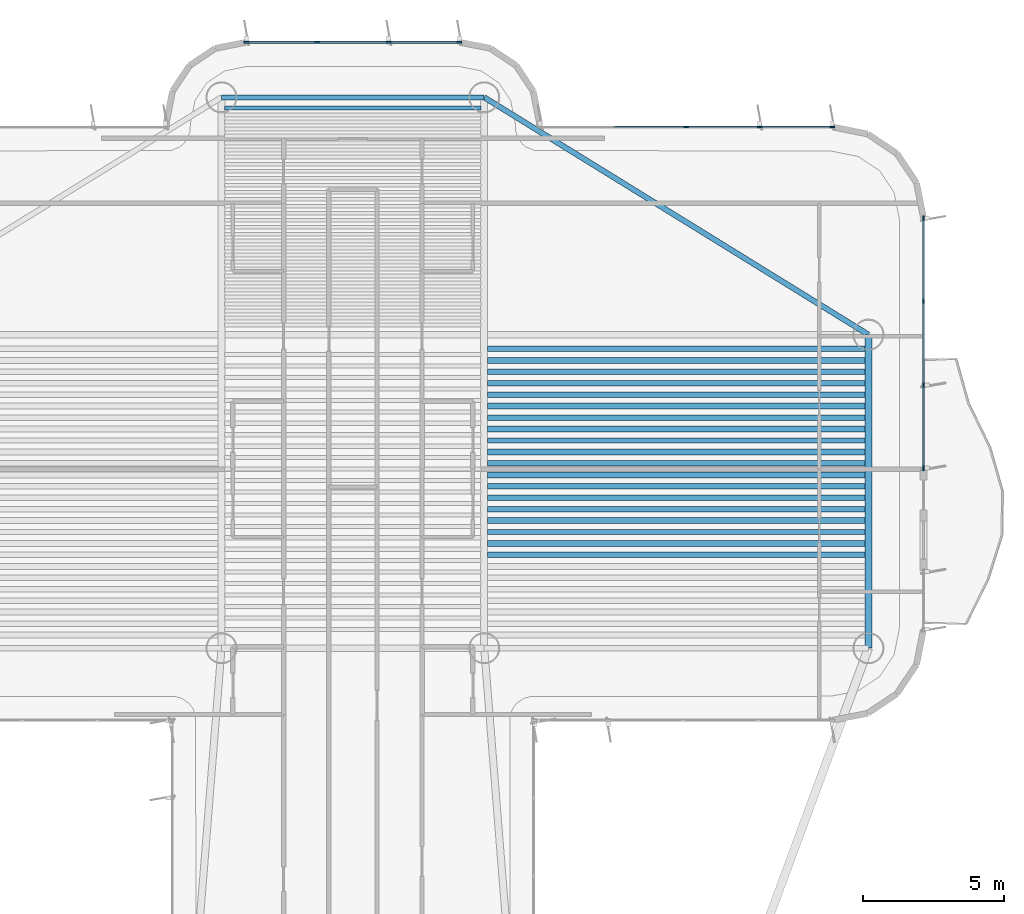
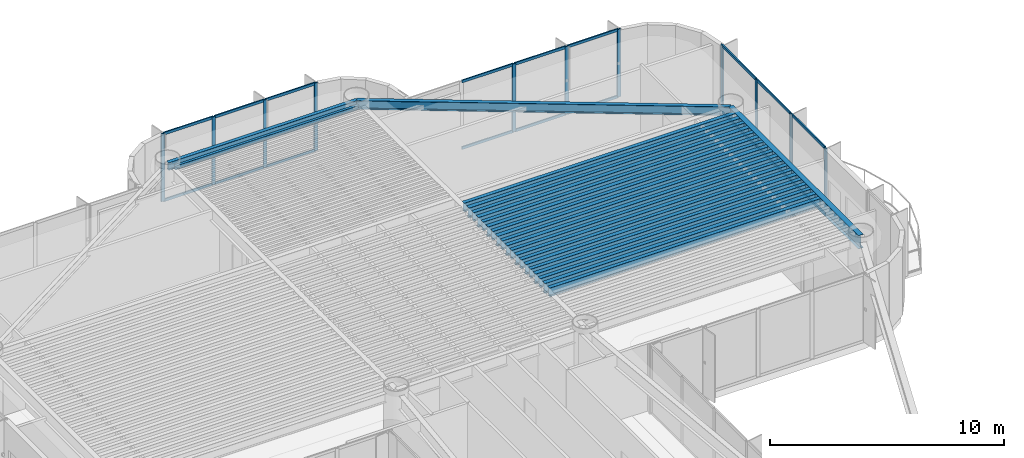
# One storey, part 7 of 15: 29 members, 23 beams, 3 elements without a shape of their own.
"""IFC4 building model written with IfcOpenShell, lengths in metres."""

from ifc_helpers import new_model, si_unit, direction, frame, origin, origin_2d, place, context, subcontext, project, spatial, rectangle, i_section, extrude, source, transform, mapped, material, layer, layer_set, material_profile, profile_set, type_object, element, aggregate, save


model = new_model("IFC4")

# Units and contexts
model_context = context("Model", 3, precision=1e-05, world=origin(), true_north=direction((0.0, 1.0)))
body_context = subcontext(model_context, "Body", "Model", "MODEL_VIEW")
ifc_project = project(units=[si_unit("LENGTHUNIT", "METRE"), si_unit("AREAUNIT", "SQUARE_METRE"), si_unit("VOLUMEUNIT", "CUBIC_METRE"), si_unit("PLANEANGLEUNIT", "RADIAN"), si_unit("MASSUNIT", "GRAM", prefix="KILO")], contexts=[model_context])

# Site, building, storey
site_placement = place(None, origin())
site = spatial("IfcSite", under=ifc_project, at=site_placement, CompositionType="ELEMENT")
building_placement = place(site_placement, origin())
building = spatial("IfcBuilding", under=site, at=building_placement, Name="Brelvock Crest Care Tower", CompositionType="ELEMENT")
storey_placement = place(building_placement, frame((0.0, 0.0, 156.419921875)))
storey = spatial("IfcBuildingStorey", under=building, at=storey_placement, Name="L39", CompositionType="ELEMENT", Elevation=156.419921875)

# Beams
ifc_material_1 = material(Name="Steel Grade 350", Category="steel")
ifc_material_profile_1 = material_profile(ifc_material_1, i_section(OverallWidth=0.177978515625, OverallDepth=0.406005859375, WebThickness=0.0078125, FlangeThickness=0.0126953125, FilletRadius=0.011474609375, at=origin_2d()), Name="410UB59.7")
ifc_profile_set_1 = profile_set([ifc_material_profile_1], Name="Steel Grade 350")
beam_type_1 = type_object("IfcBeamType", Name="BM-SP1", PredefinedType="SPANDREL", material=ifc_profile_set_1)
shared_shape_1 = source(origin(), body_context, "Body", "SweptSolid", [
    extrude(i_section(OverallWidth=0.177978515625, OverallDepth=0.406005859375, WebThickness=0.0078125, FlangeThickness=0.0126953125, FilletRadius=0.011474609375, at=origin_2d()), origin(), (0.0, 0.0, 1.0), 9.2998046875),
])
beam_1_placement = place(storey_placement, frame((31.35009765625, 54.449951171875, 3.3271484375), z_axis=(1.0, 0.0, 0.0), x_axis=(0.0, 1.0, 0.0)))
element("IfcBeam", 1, at=beam_1_placement, inside=storey, type_object=beam_type_1, Name="BM-TWR-L39-08", PredefinedType="SPANDREL", context=body_context, shape_type="MappedRepresentation", body=[
    mapped(shared_shape_1, transform((0.0, 0.0, 0.0), x_axis=(1.0, 0.0, 0.0), y_axis=(0.0, 1.0, 0.0), z_axis=(0.0, 0.0, 1.0), scale=1.0)),
])
ifc_material_profile_2 = material_profile(ifc_material_1, i_section(OverallWidth=0.134033203125, OverallDepth=0.20703125, WebThickness=0.00634765625, FlangeThickness=0.009521484375, FilletRadius=0.0087890625, at=origin_2d()), Name="200UB29.8")
ifc_profile_set_2 = profile_set([ifc_material_profile_2], Name="Steel Grade 350")
beam_type_2 = type_object("IfcBeamType", Name="BM-J4", PredefinedType="JOIST", material=ifc_profile_set_2)
shared_shape_2 = source(origin(), body_context, "Body", "SweptSolid", [
    extrude(i_section(OverallWidth=0.134033203125, OverallDepth=0.20703125, WebThickness=0.00634765625, FlangeThickness=0.009521484375, FilletRadius=0.0087890625, at=origin_2d()), origin(), (0.0, 0.0, 1.0), 9.06982421875),
])
beam_2_placement = place(storey_placement, frame((31.465087890625, 54.06787109375, 3.426513671875), z_axis=(1.0, 0.0, 0.0), x_axis=(0.0, 1.0, 0.0)))
element("IfcBeam", 2, at=beam_2_placement, inside=storey, type_object=beam_type_2, Name="BM-JN-L39-32", PredefinedType="JOIST", context=body_context, shape_type="MappedRepresentation", body=[
    mapped(shared_shape_2, transform((0.0, 0.0, 0.0), x_axis=(1.0, 0.0, 0.0), y_axis=(0.0, 1.0, 0.0), z_axis=(0.0, 0.0, 1.0), scale=1.0)),
])
ifc_material_profile_3 = material_profile(ifc_material_1, i_section(OverallWidth=0.208984375, OverallDepth=0.532958984375, WebThickness=0.01025390625, FlangeThickness=0.015625, FilletRadius=0.013916015625, at=origin_2d()), Name="530UB92.4")
ifc_profile_set_3 = profile_set([ifc_material_profile_3], Name="Steel Grade 350")
beam_type_3 = type_object("IfcBeamType", Name="BM-G2", PredefinedType="BEAM", material=ifc_profile_set_3)
shared_shape_3 = source(origin(), body_context, "Body", "SweptSolid", [
    extrude(i_section(OverallWidth=0.208984375, OverallDepth=0.532958984375, WebThickness=0.01025390625, FlangeThickness=0.015625, FilletRadius=0.013916015625, at=origin_2d()), origin(), (0.0, 0.0, 1.0), 13.3701171875),
])
for number, where, z_axis, x_axis, name in (
    (3, (40.764892578125, 38.657470703125, 3.263671875), (1.0, 0.0, 0.0), (0.0, 1.0, 0.0), "BM-JE-L39-9"),
    (4, (40.764892578125, 39.4677734375, 3.263671875), (1.0, 0.0, 0.0), (0.0, 1.0, 0.0), "BM-JE-L39-11"),
    (5, (40.764892578125, 40.278076171875, 3.263671875), (1.0, 0.0, 0.0), (0.0, 1.0, 0.0), "BM-JE-L39-13"),
    (6, (40.764892578125, 41.08837890625, 3.263671875), (1.0, 0.0, 0.0), (0.0, 1.0, 0.0), "BM-JE-L39-15"),
    (7, (40.764892578125, 41.898681640625, 3.263671875), (1.0, 0.0, 0.0), (0.0, 1.0, 0.0), "BM-JE-L39-17"),
    (8, (40.764892578125, 42.708984375, 3.263671875), (1.0, 0.0, 0.0), (0.0, 1.0, 0.0), "BM-JE-L39-19"),
    (9, (40.764892578125, 43.519287109375, 3.263671875), (1.0, 0.0, 0.0), (0.0, 1.0, 0.0), "BM-JE-L39-21"),
    (10, (40.764892578125, 44.32958984375, 3.263671875), (1.0, 0.0, 0.0), (0.0, 1.0, 0.0), "BM-JE-L39-23"),
    (11, (40.764892578125, 45.139892578125, 3.263671875), (1.0, 0.0, 0.0), (0.0, 1.0, 0.0), "BM-JE-L39-25"),
):
    element("IfcBeam", number, at=place(storey_placement, frame(where, z_axis=z_axis, x_axis=x_axis)), inside=storey, type_object=beam_type_3, Name=name, PredefinedType="BEAM", context=body_context, shape_type="MappedRepresentation", body=[
        mapped(shared_shape_3, transform((0.0, 0.0, 0.0), x_axis=(1.0, 0.0, 0.0), y_axis=(0.0, 1.0, 0.0), z_axis=(0.0, 0.0, 1.0), scale=1.0)),
    ])
ifc_material_profile_4 = material_profile(ifc_material_1, i_section(OverallWidth=0.19091796875, OverallDepth=0.4599609375, WebThickness=0.010009765625, FlangeThickness=0.01611328125, FilletRadius=0.011474609375, at=origin_2d()), Name="460UB82.1")
ifc_profile_set_4 = profile_set([ifc_material_profile_4], Name="Steel Grade 350")
beam_type_4 = type_object("IfcBeamType", Name="BM-G3", PredefinedType="BEAM", material=ifc_profile_set_4)
shared_shape_4 = source(origin(), body_context, "Body", "SweptSolid", [
    extrude(i_section(OverallWidth=0.19091796875, OverallDepth=0.4599609375, WebThickness=0.010009765625, FlangeThickness=0.01611328125, FilletRadius=0.011474609375, at=origin_2d()), origin(), (0.0, 0.0, 1.0), 13.3701171875),
])
for number, where, z_axis, x_axis, name in (
    (12, (40.764892578125, 38.252197265625, 3.300048828125), (1.0, 0.0, 0.0), (0.0, 1.0, 0.0), "BM-JE-L39-8"),
    (13, (40.764892578125, 39.0625, 3.300048828125), (1.0, 0.0, 0.0), (0.0, 1.0, 0.0), "BM-JE-L39-10"),
    (14, (40.764892578125, 39.872802734375, 3.300048828125), (1.0, 0.0, 0.0), (0.0, 1.0, 0.0), "BM-JE-L39-12"),
    (15, (40.764892578125, 40.68310546875, 3.300048828125), (1.0, 0.0, 0.0), (0.0, 1.0, 0.0), "BM-JE-L39-14"),
    (16, (40.764892578125, 41.493408203125, 3.300048828125), (1.0, 0.0, 0.0), (0.0, 1.0, 0.0), "BM-JE-L39-16"),
    (17, (40.764892578125, 42.3037109375, 3.300048828125), (1.0, 0.0, 0.0), (0.0, 1.0, 0.0), "BM-JE-L39-18"),
    (18, (40.764892578125, 43.114013671875, 3.300048828125), (1.0, 0.0, 0.0), (0.0, 1.0, 0.0), "BM-JE-L39-20"),
    (19, (40.764892578125, 43.92431640625, 3.300048828125), (1.0, 0.0, 0.0), (0.0, 1.0, 0.0), "BM-JE-L39-22"),
    (20, (40.764892578125, 44.734619140625, 3.300048828125), (1.0, 0.0, 0.0), (0.0, 1.0, 0.0), "BM-JE-L39-24"),
    (21, (40.764892578125, 45.544921875, 3.300048828125), (1.0, 0.0, 0.0), (0.0, 1.0, 0.0), "BM-JE-L39-26"),
):
    element("IfcBeam", number, at=place(storey_placement, frame(where, z_axis=z_axis, x_axis=x_axis)), inside=storey, type_object=beam_type_4, Name=name, PredefinedType="BEAM", context=body_context, shape_type="MappedRepresentation", body=[
        mapped(shared_shape_4, transform((0.0, 0.0, 0.0), x_axis=(1.0, 0.0, 0.0), y_axis=(0.0, 1.0, 0.0), z_axis=(0.0, 0.0, 1.0), scale=1.0)),
    ])
ifc_material_profile_5 = material_profile(ifc_material_1, i_section(OverallWidth=0.25, OverallDepth=0.699951171875, WebThickness=0.011962890625, FlangeThickness=0.02001953125, at=origin_2d()), Name="700WB150")
ifc_profile_set_5 = profile_set([ifc_material_profile_5], Name="Steel Grade 350")
beam_type_5 = type_object("IfcBeamType", Name="BM-G4", PredefinedType="BEAM", material=ifc_profile_set_5)
shared_shape_5 = source(origin(), body_context, "Body", "SweptSolid", [
    extrude(i_section(OverallWidth=0.25, OverallDepth=0.699951171875, WebThickness=0.011962890625, FlangeThickness=0.02001953125, at=origin_2d()), origin(), (0.0, 0.0, 1.0), 11.10009765625),
])
beam_3_placement = place(storey_placement, frame((54.25, 34.949951171875, 3.18017578125), z_axis=(0.0, 1.0, 0.0), x_axis=(-1.0, 0.0, 0.0)))
element("IfcBeam", 22, at=beam_3_placement, inside=storey, type_object=beam_type_5, Name="BM-TWR-L39-02", PredefinedType="BEAM", context=body_context, shape_type="MappedRepresentation", body=[
    mapped(shared_shape_5, transform((0.0, 0.0, 0.0), x_axis=(1.0, 0.0, 0.0), y_axis=(0.0, 1.0, 0.0), z_axis=(0.0, 0.0, 1.0), scale=1.0)),
])
ifc_material_profile_6 = material_profile(ifc_material_1, i_section(OverallWidth=0.19091796875, OverallDepth=0.4599609375, WebThickness=0.010009765625, FlangeThickness=0.01611328125, FilletRadius=0.011474609375, at=origin_2d()), Name="460UB82.1")
ifc_profile_set_6 = profile_set([ifc_material_profile_6], Name="Steel Grade 350")
beam_type_6 = type_object("IfcBeamType", Name="BM-SP2", PredefinedType="SPANDREL", material=ifc_profile_set_6)
shared_shape_6 = source(origin(), body_context, "Body", "SweptSolid", [
    extrude(i_section(OverallWidth=0.19091796875, OverallDepth=0.4599609375, WebThickness=0.010009765625, FlangeThickness=0.01611328125, FilletRadius=0.011474609375, at=origin_2d()), origin(), (0.0, 0.0, 1.0), 15.985107421875),
])
beam_4_placement = place(storey_placement, frame((40.64990234375, 54.449951171875, 3.300048828125), z_axis=(0.850802415717, -0.525485727124, 0.0), x_axis=(0.525485727124, 0.850802415717, 0.0)))
element("IfcBeam", 23, at=beam_4_placement, inside=storey, type_object=beam_type_6, Name="BM-TWR-L39-07", PredefinedType="SPANDREL", context=body_context, shape_type="MappedRepresentation", body=[
    mapped(shared_shape_6, transform((0.0, 0.0, 0.0), x_axis=(1.0, 0.0, 0.0), y_axis=(0.0, 1.0, 0.0), z_axis=(0.0, 0.0, 1.0), scale=1.0)),
])

# Curtain wall, members
ifc_material_2 = material(Name="Dark Glass Double Glazed Low-E", Category="glass")
ifc_layer = layer(ifc_material_2, 0.22509765625, Name="CWS-4")
ifc_layer_set = layer_set([ifc_layer], Name="Dark Glass Double Glazed Low-E")
curtain_wall_type = type_object("IfcCurtainWallType", Name="CWS-4", PredefinedType="NOTDEFINED", material=ifc_layer_set)
curtain_wall_1_placement = place(storey_placement, origin())
curtain_wall_1 = element("IfcCurtainWall", 24, at=curtain_wall_1_placement, inside=storey, type_object=curtain_wall_type, Name="L39 Curtain Wall E28", PredefinedType="NOTDEFINED")
ifc_material_3 = material(Name="Aluminium 6063-T6", Category="aluminium")
ifc_material_profile_7 = material_profile(ifc_material_3, rectangle(XDim=0.06005859375, YDim=0.179931640625, at=origin_2d()), Name="ALU60x180")
ifc_profile_set_7 = profile_set([ifc_material_profile_7], Name="Aluminium 6063-T6")
member_type_1 = type_object("IfcMemberType", Name="CWM-2", PredefinedType="MULLION", material=ifc_profile_set_7)
shared_shape_7 = source(origin(), body_context, "Body", "SweptSolid", [
    extrude(rectangle(XDim=0.06005859375, YDim=0.179931640625, at=origin_2d()), origin(), (0.0, 0.0, 1.0), 3.530029296875),
])
member_1_placement = place(storey_placement, frame((32.22998046875, 56.39990234375, 0.0), z_axis=(0.0, 0.0, 1.0), x_axis=(0.0, 1.0, 0.0)))
member_1 = element("IfcMember", 25, at=member_1_placement, type_object=member_type_1, Name="CW-4 mullion 1", PredefinedType="MULLION", context=body_context, shape_type="MappedRepresentation", body=[
    mapped(shared_shape_7, transform((0.0, 0.0, 0.0), x_axis=(1.0, 0.0, 0.0), y_axis=(0.0, 1.0, 0.0), z_axis=(0.0, 0.0, 1.0), scale=1.0)),
])
member_2_placement = place(storey_placement, frame((34.7333984375, 56.39990234375, 0.0), z_axis=(0.0, 0.0, 1.0), x_axis=(0.0, 1.0, 0.0)))
member_2 = element("IfcMember", 26, at=member_2_placement, type_object=member_type_1, Name="CW-4 mullion 2", PredefinedType="MULLION", context=body_context, shape_type="MappedRepresentation", body=[
    mapped(shared_shape_7, transform((0.0, 0.0, 0.0), x_axis=(1.0, 0.0, 0.0), y_axis=(0.0, 1.0, 0.0), z_axis=(0.0, 0.0, 1.0), scale=1.0)),
])
member_3_placement = place(storey_placement, frame((37.2666015625, 56.39990234375, 0.0), z_axis=(0.0, 0.0, 1.0), x_axis=(0.0, 1.0, 0.0)))
member_3 = element("IfcMember", 27, at=member_3_placement, type_object=member_type_1, Name="CW-4 mullion 3", PredefinedType="MULLION", context=body_context, shape_type="MappedRepresentation", body=[
    mapped(shared_shape_7, transform((0.0, 0.0, 0.0), x_axis=(1.0, 0.0, 0.0), y_axis=(0.0, 1.0, 0.0), z_axis=(0.0, 0.0, 1.0), scale=1.0)),
])
member_4_placement = place(storey_placement, frame((39.77001953125, 56.39990234375, 0.0), z_axis=(0.0, 0.0, 1.0), x_axis=(0.0, 1.0, 0.0)))
member_4 = element("IfcMember", 28, at=member_4_placement, type_object=member_type_1, Name="CW-4 mullion 4", PredefinedType="MULLION", context=body_context, shape_type="MappedRepresentation", body=[
    mapped(shared_shape_7, transform((0.0, 0.0, 0.0), x_axis=(1.0, 0.0, 0.0), y_axis=(0.0, 1.0, 0.0), z_axis=(0.0, 0.0, 1.0), scale=1.0)),
])

curtain_wall_2_placement = place(storey_placement, origin())
curtain_wall_2 = element("IfcCurtainWall", 29, at=curtain_wall_2_placement, inside=storey, type_object=curtain_wall_type, Name="L39 Curtain Wall E34", PredefinedType="NOTDEFINED")
member_5_placement = place(storey_placement, frame((47.800048828125, 53.39990234375, 0.0), z_axis=(0.0, 0.0, 1.0), x_axis=(0.0, 1.0, 0.0)))
member_5 = element("IfcMember", 30, at=member_5_placement, type_object=member_type_1, Name="CW-4 mullion 3", PredefinedType="MULLION", context=body_context, shape_type="MappedRepresentation", body=[
    mapped(shared_shape_7, transform((0.0, 0.0, 0.0), x_axis=(1.0, 0.0, 0.0), y_axis=(0.0, 1.0, 0.0), z_axis=(0.0, 0.0, 1.0), scale=1.0)),
])
member_6_placement = place(storey_placement, frame((50.39990234375, 53.39990234375, 0.0), z_axis=(0.0, 0.0, 1.0), x_axis=(0.0, 1.0, 0.0)))
member_6 = element("IfcMember", 31, at=member_6_placement, type_object=member_type_1, Name="CW-4 mullion 4", PredefinedType="MULLION", context=body_context, shape_type="MappedRepresentation", body=[
    mapped(shared_shape_7, transform((0.0, 0.0, 0.0), x_axis=(1.0, 0.0, 0.0), y_axis=(0.0, 1.0, 0.0), z_axis=(0.0, 0.0, 1.0), scale=1.0)),
])
member_7_placement = place(storey_placement, frame((52.969970703125, 53.39990234375, 0.0), z_axis=(0.0, 0.0, 1.0), x_axis=(0.0, 1.0, 0.0)))
member_7 = element("IfcMember", 32, at=member_7_placement, type_object=member_type_1, Name="CW-4 mullion 5", PredefinedType="MULLION", context=body_context, shape_type="MappedRepresentation", body=[
    mapped(shared_shape_7, transform((0.0, 0.0, 0.0), x_axis=(1.0, 0.0, 0.0), y_axis=(0.0, 1.0, 0.0), z_axis=(0.0, 0.0, 1.0), scale=1.0)),
])

curtain_wall_3_placement = place(storey_placement, origin())
curtain_wall_3 = element("IfcCurtainWall", 33, at=curtain_wall_3_placement, inside=storey, type_object=curtain_wall_type, Name="L39 Curtain Wall E39A", PredefinedType="NOTDEFINED")
member_8_placement = place(storey_placement, frame((56.199951171875, 50.169921875, 0.0), z_axis=(0.0, 0.0, 1.0), x_axis=(1.0, 0.0, 0.0)))
member_8 = element("IfcMember", 34, at=member_8_placement, type_object=member_type_1, Name="CW-4 mullion 1", PredefinedType="MULLION", context=body_context, shape_type="MappedRepresentation", body=[
    mapped(shared_shape_7, transform((0.0, 0.0, 0.0), x_axis=(1.0, 0.0, 0.0), y_axis=(0.0, 1.0, 0.0), z_axis=(0.0, 0.0, 1.0), scale=1.0)),
])
member_9_placement = place(storey_placement, frame((56.199951171875, 47.2333984375, 0.0), z_axis=(0.0, 0.0, 1.0), x_axis=(1.0, 0.0, 0.0)))
member_9 = element("IfcMember", 35, at=member_9_placement, type_object=member_type_1, Name="CW-4 mullion 2", PredefinedType="MULLION", context=body_context, shape_type="MappedRepresentation", body=[
    mapped(shared_shape_7, transform((0.0, 0.0, 0.0), x_axis=(1.0, 0.0, 0.0), y_axis=(0.0, 1.0, 0.0), z_axis=(0.0, 0.0, 1.0), scale=1.0)),
])
member_10_placement = place(storey_placement, frame((56.199951171875, 44.2666015625, 0.0), z_axis=(0.0, 0.0, 1.0), x_axis=(1.0, 0.0, 0.0)))
member_10 = element("IfcMember", 36, at=member_10_placement, type_object=member_type_1, Name="CW-4 mullion 3", PredefinedType="MULLION", context=body_context, shape_type="MappedRepresentation", body=[
    mapped(shared_shape_7, transform((0.0, 0.0, 0.0), x_axis=(1.0, 0.0, 0.0), y_axis=(0.0, 1.0, 0.0), z_axis=(0.0, 0.0, 1.0), scale=1.0)),
])
member_11_placement = place(storey_placement, frame((56.199951171875, 41.330078125, 0.0), z_axis=(0.0, 0.0, 1.0), x_axis=(1.0, 0.0, 0.0)))
member_11 = element("IfcMember", 37, at=member_11_placement, type_object=member_type_1, Name="CW-4 mullion 4", PredefinedType="MULLION", context=body_context, shape_type="MappedRepresentation", body=[
    mapped(shared_shape_7, transform((0.0, 0.0, 0.0), x_axis=(1.0, 0.0, 0.0), y_axis=(0.0, 1.0, 0.0), z_axis=(0.0, 0.0, 1.0), scale=1.0)),
])

# Member
ifc_material_profile_8 = material_profile(ifc_material_3, rectangle(XDim=0.06005859375, YDim=0.139892578125, at=origin_2d()), Name="ALU60x140")
ifc_profile_set_8 = profile_set([ifc_material_profile_8], Name="Aluminium 6063-T6")
member_type_2 = type_object("IfcMemberType", Name="CWT-2", PredefinedType="USERDEFINED", material=ifc_profile_set_8)
shared_shape_8 = source(origin(), body_context, "Body", "SweptSolid", [
    extrude(rectangle(XDim=0.06005859375, YDim=0.139892578125, at=origin_2d()), origin(), (0.0, 0.0, 1.0), 2.443359375),
])
member_12_placement = place(storey_placement, frame((32.260009765625, 56.39990234375, 0.030029296875), z_axis=(1.0, 0.0, 0.0), x_axis=(0.0, 1.0, 0.0)))
member_12 = element("IfcMember", 38, at=member_12_placement, type_object=member_type_2, Name="CW-4 transom 1.1", ObjectType="TRANSOM", PredefinedType="USERDEFINED", context=body_context, shape_type="MappedRepresentation", body=[
    mapped(shared_shape_8, transform((0.0, 0.0, 0.0), x_axis=(1.0, 0.0, 0.0), y_axis=(0.0, 1.0, 0.0), z_axis=(0.0, 0.0, 1.0), scale=1.0)),
])

member_13_placement = place(storey_placement, frame((32.260009765625, 56.39990234375, 3.5), z_axis=(1.0, 0.0, 0.0), x_axis=(0.0, 1.0, 0.0)))
member_13 = element("IfcMember", 39, at=member_13_placement, type_object=member_type_2, Name="CW-4 transom 1.2", ObjectType="TRANSOM", PredefinedType="USERDEFINED", context=body_context, shape_type="MappedRepresentation", body=[
    mapped(shared_shape_8, transform((0.0, 0.0, 0.0), x_axis=(1.0, 0.0, 0.0), y_axis=(0.0, 1.0, 0.0), z_axis=(0.0, 0.0, 1.0), scale=1.0)),
])

member_14_placement = place(storey_placement, frame((37.296630859375, 56.39990234375, 0.030029296875), z_axis=(1.0, 0.0, 0.0), x_axis=(0.0, 1.0, 0.0)))
member_14 = element("IfcMember", 40, at=member_14_placement, type_object=member_type_2, Name="CW-4 transom 3.1", ObjectType="TRANSOM", PredefinedType="USERDEFINED", context=body_context, shape_type="MappedRepresentation", body=[
    mapped(shared_shape_8, transform((0.0, 0.0, 0.0), x_axis=(1.0, 0.0, 0.0), y_axis=(0.0, 1.0, 0.0), z_axis=(0.0, 0.0, 1.0), scale=1.0)),
])

member_15_placement = place(storey_placement, frame((37.296630859375, 56.39990234375, 3.5), z_axis=(1.0, 0.0, 0.0), x_axis=(0.0, 1.0, 0.0)))
member_15 = element("IfcMember", 41, at=member_15_placement, type_object=member_type_2, Name="CW-4 transom 3.2", ObjectType="TRANSOM", PredefinedType="USERDEFINED", context=body_context, shape_type="MappedRepresentation", body=[
    mapped(shared_shape_8, transform((0.0, 0.0, 0.0), x_axis=(1.0, 0.0, 0.0), y_axis=(0.0, 1.0, 0.0), z_axis=(0.0, 0.0, 1.0), scale=1.0)),
])

shared_shape_9 = source(origin(), body_context, "Body", "SweptSolid", [
    extrude(rectangle(XDim=0.06005859375, YDim=0.139892578125, at=origin_2d()), origin(), (0.0, 0.0, 1.0), 2.47314453125),
])
member_16_placement = place(storey_placement, frame((34.763427734375, 56.39990234375, 0.030029296875), z_axis=(1.0, 0.0, 0.0), x_axis=(0.0, 1.0, 0.0)))
member_16 = element("IfcMember", 42, at=member_16_placement, type_object=member_type_2, Name="CW-4 transom 2.1", ObjectType="TRANSOM", PredefinedType="USERDEFINED", context=body_context, shape_type="MappedRepresentation", body=[
    mapped(shared_shape_9, transform((0.0, 0.0, 0.0), x_axis=(1.0, 0.0, 0.0), y_axis=(0.0, 1.0, 0.0), z_axis=(0.0, 0.0, 1.0), scale=1.0)),
])

member_17_placement = place(storey_placement, frame((34.763427734375, 56.39990234375, 3.5), z_axis=(1.0, 0.0, 0.0), x_axis=(0.0, 1.0, 0.0)))
member_17 = element("IfcMember", 43, at=member_17_placement, type_object=member_type_2, Name="CW-4 transom 2.2", ObjectType="TRANSOM", PredefinedType="USERDEFINED", context=body_context, shape_type="MappedRepresentation", body=[
    mapped(shared_shape_9, transform((0.0, 0.0, 0.0), x_axis=(1.0, 0.0, 0.0), y_axis=(0.0, 1.0, 0.0), z_axis=(0.0, 0.0, 1.0), scale=1.0)),
])

aggregate(curtain_wall_1, [member_1, member_2, member_3, member_4, member_12, member_13, member_16, member_17, member_14, member_15])

shared_shape_10 = source(origin(), body_context, "Body", "SweptSolid", [
    extrude(rectangle(XDim=0.06005859375, YDim=0.139892578125, at=origin_2d()), origin(), (0.0, 0.0, 1.0), 2.87646484375),
])
member_18_placement = place(storey_placement, frame((56.199951171875, 50.139892578125, 0.030029296875), z_axis=(0.0, -1.0, 0.0), x_axis=(1.0, 0.0, 0.0)))
member_18 = element("IfcMember", 44, at=member_18_placement, type_object=member_type_2, Name="CW-4 transom 1.1", ObjectType="TRANSOM", PredefinedType="USERDEFINED", context=body_context, shape_type="MappedRepresentation", body=[
    mapped(shared_shape_10, transform((0.0, 0.0, 0.0), x_axis=(1.0, 0.0, 0.0), y_axis=(0.0, 1.0, 0.0), z_axis=(0.0, 0.0, 1.0), scale=1.0)),
])

member_19_placement = place(storey_placement, frame((56.199951171875, 50.139892578125, 3.5), z_axis=(0.0, -1.0, 0.0), x_axis=(1.0, 0.0, 0.0)))
member_19 = element("IfcMember", 45, at=member_19_placement, type_object=member_type_2, Name="CW-4 transom 1.2", ObjectType="TRANSOM", PredefinedType="USERDEFINED", context=body_context, shape_type="MappedRepresentation", body=[
    mapped(shared_shape_10, transform((0.0, 0.0, 0.0), x_axis=(1.0, 0.0, 0.0), y_axis=(0.0, 1.0, 0.0), z_axis=(0.0, 0.0, 1.0), scale=1.0)),
])

member_20_placement = place(storey_placement, frame((56.199951171875, 44.236572265625, 0.030029296875), z_axis=(0.0, -1.0, 0.0), x_axis=(1.0, 0.0, 0.0)))
member_20 = element("IfcMember", 46, at=member_20_placement, type_object=member_type_2, Name="CW-4 transom 3.1", ObjectType="TRANSOM", PredefinedType="USERDEFINED", context=body_context, shape_type="MappedRepresentation", body=[
    mapped(shared_shape_10, transform((0.0, 0.0, 0.0), x_axis=(1.0, 0.0, 0.0), y_axis=(0.0, 1.0, 0.0), z_axis=(0.0, 0.0, 1.0), scale=1.0)),
])

member_21_placement = place(storey_placement, frame((56.199951171875, 44.236572265625, 3.5), z_axis=(0.0, -1.0, 0.0), x_axis=(1.0, 0.0, 0.0)))
member_21 = element("IfcMember", 47, at=member_21_placement, type_object=member_type_2, Name="CW-4 transom 3.2", ObjectType="TRANSOM", PredefinedType="USERDEFINED", context=body_context, shape_type="MappedRepresentation", body=[
    mapped(shared_shape_10, transform((0.0, 0.0, 0.0), x_axis=(1.0, 0.0, 0.0), y_axis=(0.0, 1.0, 0.0), z_axis=(0.0, 0.0, 1.0), scale=1.0)),
])

shared_shape_11 = source(origin(), body_context, "Body", "SweptSolid", [
    extrude(rectangle(XDim=0.06005859375, YDim=0.139892578125, at=origin_2d()), origin(), (0.0, 0.0, 1.0), 2.90673828125),
])
member_22_placement = place(storey_placement, frame((56.199951171875, 47.203369140625, 0.030029296875), z_axis=(0.0, -1.0, 0.0), x_axis=(1.0, 0.0, 0.0)))
member_22 = element("IfcMember", 48, at=member_22_placement, type_object=member_type_2, Name="CW-4 transom 2.1", ObjectType="TRANSOM", PredefinedType="USERDEFINED", context=body_context, shape_type="MappedRepresentation", body=[
    mapped(shared_shape_11, transform((0.0, 0.0, 0.0), x_axis=(1.0, 0.0, 0.0), y_axis=(0.0, 1.0, 0.0), z_axis=(0.0, 0.0, 1.0), scale=1.0)),
])

member_23_placement = place(storey_placement, frame((56.199951171875, 47.203369140625, 3.5), z_axis=(0.0, -1.0, 0.0), x_axis=(1.0, 0.0, 0.0)))
member_23 = element("IfcMember", 49, at=member_23_placement, type_object=member_type_2, Name="CW-4 transom 2.2", ObjectType="TRANSOM", PredefinedType="USERDEFINED", context=body_context, shape_type="MappedRepresentation", body=[
    mapped(shared_shape_11, transform((0.0, 0.0, 0.0), x_axis=(1.0, 0.0, 0.0), y_axis=(0.0, 1.0, 0.0), z_axis=(0.0, 0.0, 1.0), scale=1.0)),
])

aggregate(curtain_wall_3, [member_8, member_9, member_10, member_11, member_18, member_19, member_22, member_23, member_20, member_21])

shared_shape_12 = source(origin(), body_context, "Body", "SweptSolid", [
    extrude(rectangle(XDim=0.06005859375, YDim=0.139892578125, at=origin_2d()), origin(), (0.0, 0.0, 1.0), 2.510009765625),
])
member_24_placement = place(storey_placement, frame((50.429931640625, 53.39990234375, 0.030029296875), z_axis=(1.0, 0.0, 0.0), x_axis=(0.0, 1.0, 0.0)))
member_24 = element("IfcMember", 50, at=member_24_placement, type_object=member_type_2, Name="CW-4 transom 4.1", ObjectType="TRANSOM", PredefinedType="USERDEFINED", context=body_context, shape_type="MappedRepresentation", body=[
    mapped(shared_shape_12, transform((0.0, 0.0, 0.0), x_axis=(1.0, 0.0, 0.0), y_axis=(0.0, 1.0, 0.0), z_axis=(0.0, 0.0, 1.0), scale=1.0)),
])

member_25_placement = place(storey_placement, frame((50.429931640625, 53.39990234375, 3.5), z_axis=(1.0, 0.0, 0.0), x_axis=(0.0, 1.0, 0.0)))
member_25 = element("IfcMember", 51, at=member_25_placement, type_object=member_type_2, Name="CW-4 transom 4.2", ObjectType="TRANSOM", PredefinedType="USERDEFINED", context=body_context, shape_type="MappedRepresentation", body=[
    mapped(shared_shape_12, transform((0.0, 0.0, 0.0), x_axis=(1.0, 0.0, 0.0), y_axis=(0.0, 1.0, 0.0), z_axis=(0.0, 0.0, 1.0), scale=1.0)),
])

shared_shape_13 = source(origin(), body_context, "Body", "SweptSolid", [
    extrude(rectangle(XDim=0.06005859375, YDim=0.139892578125, at=origin_2d()), origin(), (0.0, 0.0, 1.0), 2.5400390625),
])
member_26_placement = place(storey_placement, frame((45.22998046875, 53.39990234375, 0.030029296875), z_axis=(1.0, 0.0, 0.0), x_axis=(0.0, 1.0, 0.0)))
member_26 = element("IfcMember", 52, at=member_26_placement, type_object=member_type_2, Name="CW-4 transom 2.1", ObjectType="TRANSOM", PredefinedType="USERDEFINED", context=body_context, shape_type="MappedRepresentation", body=[
    mapped(shared_shape_13, transform((0.0, 0.0, 0.0), x_axis=(1.0, 0.0, 0.0), y_axis=(0.0, 1.0, 0.0), z_axis=(0.0, 0.0, 1.0), scale=1.0)),
])

member_27_placement = place(storey_placement, frame((45.22998046875, 53.39990234375, 3.5), z_axis=(1.0, 0.0, 0.0), x_axis=(0.0, 1.0, 0.0)))
member_27 = element("IfcMember", 53, at=member_27_placement, type_object=member_type_2, Name="CW-4 transom 2.2", ObjectType="TRANSOM", PredefinedType="USERDEFINED", context=body_context, shape_type="MappedRepresentation", body=[
    mapped(shared_shape_13, transform((0.0, 0.0, 0.0), x_axis=(1.0, 0.0, 0.0), y_axis=(0.0, 1.0, 0.0), z_axis=(0.0, 0.0, 1.0), scale=1.0)),
])

member_28_placement = place(storey_placement, frame((47.830078125, 53.39990234375, 0.030029296875), z_axis=(1.0, 0.0, 0.0), x_axis=(0.0, 1.0, 0.0)))
member_28 = element("IfcMember", 54, at=member_28_placement, type_object=member_type_2, Name="CW-4 transom 3.1", ObjectType="TRANSOM", PredefinedType="USERDEFINED", context=body_context, shape_type="MappedRepresentation", body=[
    mapped(shared_shape_13, transform((0.0, 0.0, 0.0), x_axis=(1.0, 0.0, 0.0), y_axis=(0.0, 1.0, 0.0), z_axis=(0.0, 0.0, 1.0), scale=1.0)),
])

member_29_placement = place(storey_placement, frame((47.830078125, 53.39990234375, 3.5), z_axis=(1.0, 0.0, 0.0), x_axis=(0.0, 1.0, 0.0)))
member_29 = element("IfcMember", 55, at=member_29_placement, type_object=member_type_2, Name="CW-4 transom 3.2", ObjectType="TRANSOM", PredefinedType="USERDEFINED", context=body_context, shape_type="MappedRepresentation", body=[
    mapped(shared_shape_13, transform((0.0, 0.0, 0.0), x_axis=(1.0, 0.0, 0.0), y_axis=(0.0, 1.0, 0.0), z_axis=(0.0, 0.0, 1.0), scale=1.0)),
])

aggregate(curtain_wall_2, [member_5, member_6, member_7, member_26, member_27, member_28, member_29, member_24, member_25])

save(model, "model.ifc")
